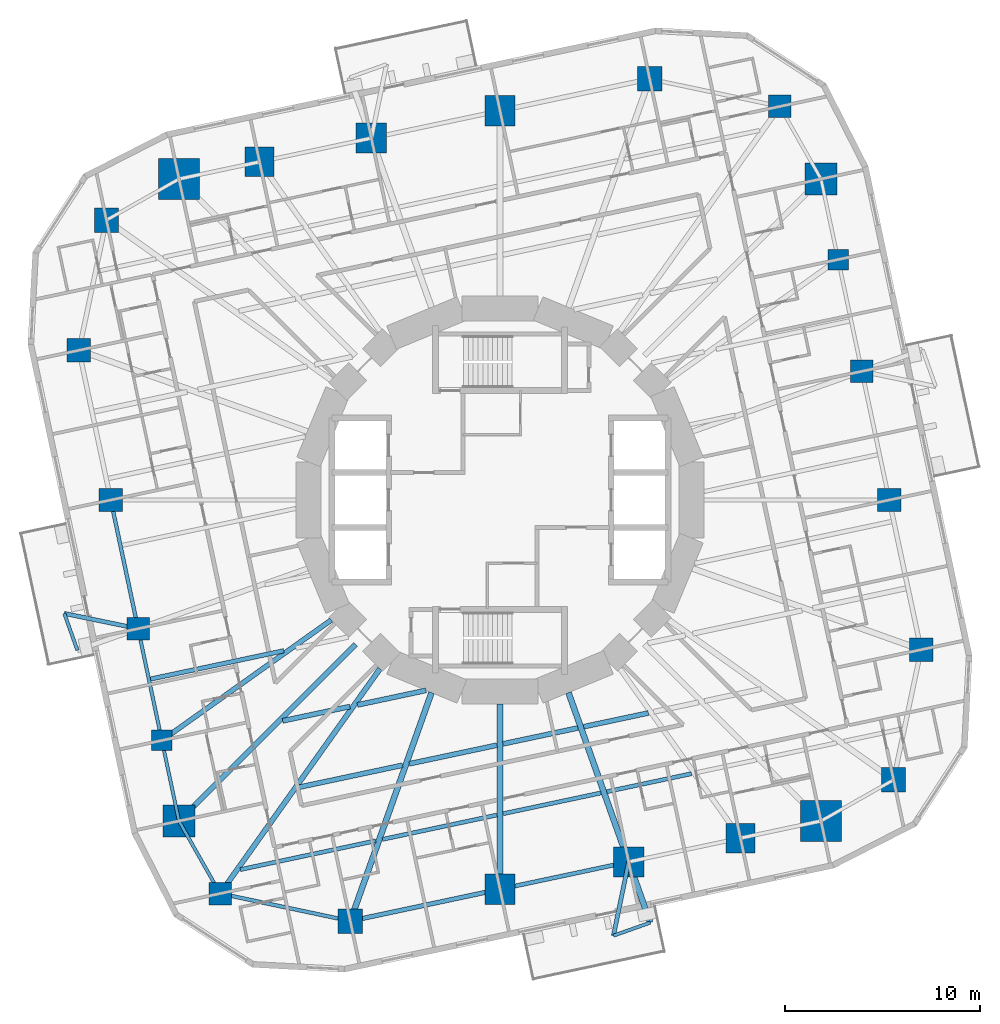
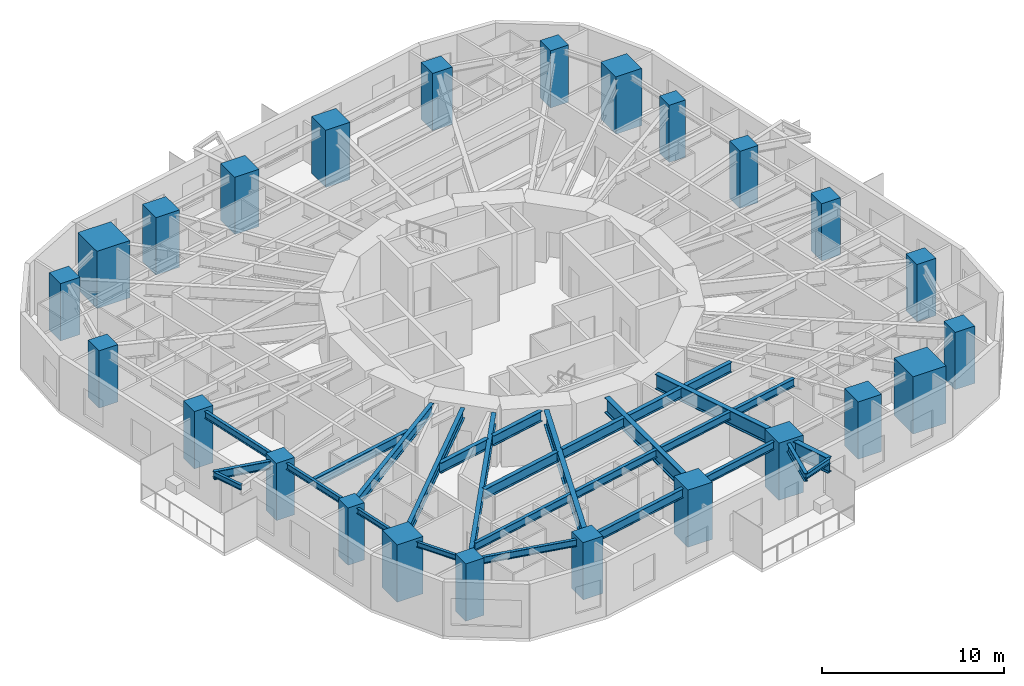
# One storey, part 1 of 14: 28 beams, 24 columns.
"""IFC4 building model written with IfcOpenShell, lengths in metres."""

from ifc_helpers import new_model, si_unit, direction, frame, origin, origin_2d, place, context, subcontext, project, spatial, rectangle, i_section, extrude, material, material_profile, profile_set, type_object, element, save


model = new_model("IFC4")

# Units and contexts
model_context = context("Model", 3, precision=1e-05, world=origin(), true_north=direction((0.0, 1.0)))
body_context = subcontext(model_context, "Body", "Model", "MODEL_VIEW")
ifc_project = project(units=[si_unit("LENGTHUNIT", "METRE"), si_unit("AREAUNIT", "SQUARE_METRE"), si_unit("VOLUMEUNIT", "CUBIC_METRE"), si_unit("PLANEANGLEUNIT", "RADIAN"), si_unit("MASSUNIT", "GRAM", prefix="KILO")], contexts=[model_context])

# Site, building, storey
site_placement = place(None, origin())
site = spatial("IfcSite", under=ifc_project, at=site_placement, CompositionType="ELEMENT")
building_placement = place(site_placement, origin())
building = spatial("IfcBuilding", under=site, at=building_placement, Name="Nakasero Lantern House", CompositionType="ELEMENT")
storey_placement = place(building_placement, frame((0.0, 0.0, 124.25)))
storey = spatial("IfcBuildingStorey", under=building, at=storey_placement, Name="L30", CompositionType="ELEMENT", Elevation=124.25)

# Columns
ifc_material_1 = material(Name="Concrete C50/60", Category="concrete")
ifc_material_profile_1 = material_profile(ifc_material_1, rectangle(XDim=1.64990234375, YDim=1.64990234375, at=origin_2d()), Name="RC 1650x1650")
ifc_profile_set_1 = profile_set([ifc_material_profile_1], Name="Concrete C50/60")
column_type_1 = type_object("IfcColumnType", Name="Mega column RC 1650x1650 C50/60", PredefinedType="COLUMN", material=ifc_profile_set_1)
for number, where, z_axis, x_axis, name in (
    (1, (16.44091796875, 16.44091796875, 0.0), (0.0, 0.0, 1.0), (1.0, 0.0, 0.0), "Column B3-C06 L30"),
    (2, (-16.44091796875, -16.44091796875, 0.0), (0.0, 0.0, 1.0), (1.0, 0.0, 0.0), "Column B3-C18 L30"),
):
    element("IfcColumn", number, at=place(storey_placement, frame(where, z_axis=z_axis, x_axis=x_axis)), inside=storey, type_object=column_type_1, Name=name, PredefinedType="COLUMN", context=body_context, shape_type="SweptSolid", body=[
        extrude(rectangle(XDim=1.64990234375, YDim=1.64990234375, at=origin_2d()), origin(), (0.0, 0.0, 1.0), 3.85009765625),
    ])
ifc_material_2 = material(Name="Concrete C50/60", Category="concrete")
ifc_material_profile_2 = material_profile(ifc_material_2, rectangle(XDim=2.10009765625, YDim=2.10009765625, at=origin_2d()), Name="RC 2100x2100")
ifc_profile_set_2 = profile_set([ifc_material_profile_2], Name="Concrete C50/60")
column_type_2 = type_object("IfcColumnType", Name="Mega column RC 2100x2100 C50/60", PredefinedType="COLUMN", material=ifc_profile_set_2)
for number, where, z_axis, x_axis, name in (
    (3, (-16.44091796875, 16.44091796875, 0.0), (0.0, 0.0, 1.0), (1.0, 0.0, 0.0), "Column B3-C12 L30"),
    (4, (16.44091796875, -16.44091796875, 0.0), (0.0, 0.0, 1.0), (1.0, 0.0, 0.0), "Column B3-C24 L30"),
):
    element("IfcColumn", number, at=place(storey_placement, frame(where, z_axis=z_axis, x_axis=x_axis)), inside=storey, type_object=column_type_2, Name=name, PredefinedType="COLUMN", context=body_context, shape_type="SweptSolid", body=[
        extrude(rectangle(XDim=2.10009765625, YDim=2.10009765625, at=origin_2d()), origin(), (0.0, 0.0, 1.0), 3.85009765625),
    ])
ifc_material_3 = material(Name="Concrete C50/60", Category="concrete")
ifc_material_profile_3 = material_profile(ifc_material_3, rectangle(XDim=1.050048828125, YDim=1.050048828125, at=origin_2d()), Name="RC 1050x1050")
ifc_profile_set_3 = profile_set([ifc_material_profile_3], Name="Concrete C50/60")
column_type_3 = type_object("IfcColumnType", Name="Ring column RC 1050x1050 C50/60", PredefinedType="COLUMN", material=ifc_profile_set_3)
for number, where, z_axis, x_axis, name in (
    (5, (17.318115234375, 12.31494140625, 0.0), (0.0, 0.0, 1.0), (1.0, 0.0, 0.0), "Column B3-C05 L30"),
    (6, (-17.318115234375, -12.31494140625, 0.0), (0.0, 0.0, 1.0), (1.0, 0.0, 0.0), "Column B3-C17 L30"),
):
    element("IfcColumn", number, at=place(storey_placement, frame(where, z_axis=z_axis, x_axis=x_axis)), inside=storey, type_object=column_type_3, Name=name, PredefinedType="COLUMN", context=body_context, shape_type="SweptSolid", body=[
        extrude(rectangle(XDim=1.050048828125, YDim=1.050048828125, at=origin_2d()), origin(), (0.0, 0.0, 1.0), 3.85009765625),
    ])
ifc_material_4 = material(Name="Concrete C50/60", Category="concrete")
ifc_material_profile_4 = material_profile(ifc_material_4, rectangle(XDim=1.14990234375, YDim=1.14990234375, at=origin_2d()), Name="RC 1150x1150")
ifc_profile_set_4 = profile_set([ifc_material_profile_4], Name="Concrete C50/60")
column_type_4 = type_object("IfcColumnType", Name="Ring column RC 1150x1150 C50/60", PredefinedType="COLUMN", material=ifc_profile_set_4)
for number, where, z_axis, x_axis, name in (
    (7, (18.534912109375, 6.590087890625, 0.0), (0.0, 0.0, 1.0), (1.0, 0.0, 0.0), "Column B3-C04 L30"),
    (8, (14.33349609375, 20.15625, 0.0), (0.0, 0.0, 1.0), (1.0, 0.0, 0.0), "Column B3-C07 L30"),
    (9, (-18.534912109375, -6.590087890625, 0.0), (0.0, 0.0, 1.0), (1.0, 0.0, 0.0), "Column B3-C16 L30"),
    (10, (-14.33349609375, -20.15625, 0.0), (0.0, 0.0, 1.0), (1.0, 0.0, 0.0), "Column B3-C19 L30"),
):
    element("IfcColumn", number, at=place(storey_placement, frame(where, z_axis=z_axis, x_axis=x_axis)), inside=storey, type_object=column_type_4, Name=name, PredefinedType="COLUMN", context=body_context, shape_type="SweptSolid", body=[
        extrude(rectangle(XDim=1.14990234375, YDim=1.14990234375, at=origin_2d()), origin(), (0.0, 0.0, 1.0), 3.85009765625),
    ])
ifc_material_5 = material(Name="Concrete C50/60", Category="concrete")
ifc_material_profile_5 = material_profile(ifc_material_5, rectangle(XDim=1.199951171875, YDim=1.199951171875, at=origin_2d()), Name="RC 1200x1200")
ifc_profile_set_5 = profile_set([ifc_material_profile_5], Name="Concrete C50/60")
column_type_5 = type_object("IfcColumnType", Name="Ring column RC 1200x1200 C50/60", PredefinedType="COLUMN", material=ifc_profile_set_5)
for number, where, z_axis, x_axis, name in (
    (11, (21.5654296875, -7.667724609375, 0.0), (0.0, 0.0, 1.0), (1.0, 0.0, 0.0), "Column B3-C02 L30"),
    (12, (19.935546875, 0.0, 0.0), (0.0, 0.0, 1.0), (1.0, 0.0, 0.0), "Column B3-C03 L30"),
    (13, (-21.5654296875, 7.667724609375, 0.0), (0.0, 0.0, 1.0), (1.0, 0.0, 0.0), "Column B3-C14 L30"),
    (14, (-19.935546875, 0.0, 0.0), (0.0, 0.0, 1.0), (1.0, 0.0, 0.0), "Column B3-C15 L30"),
):
    element("IfcColumn", number, at=place(storey_placement, frame(where, z_axis=z_axis, x_axis=x_axis)), inside=storey, type_object=column_type_5, Name=name, PredefinedType="COLUMN", context=body_context, shape_type="SweptSolid", body=[
        extrude(rectangle(XDim=1.199951171875, YDim=1.199951171875, at=origin_2d()), origin(), (0.0, 0.0, 1.0), 3.85009765625),
    ])
ifc_material_6 = material(Name="Concrete C50/60", Category="concrete")
ifc_material_profile_6 = material_profile(ifc_material_6, rectangle(XDim=1.25, YDim=1.25, at=origin_2d()), Name="RC 1250x1250")
ifc_profile_set_6 = profile_set([ifc_material_profile_6], Name="Concrete C50/60")
column_type_6 = type_object("IfcColumnType", Name="Ring column RC 1250x1250 C50/60", PredefinedType="COLUMN", material=ifc_profile_set_6)
for number, where, z_axis, x_axis, name in (
    (15, (20.15625, -14.33349609375, 0.0), (0.0, 0.0, 1.0), (1.0, 0.0, 0.0), "Column B3-C01 L30"),
    (16, (7.667724609375, 21.5654296875, 0.0), (0.0, 0.0, 1.0), (1.0, 0.0, 0.0), "Column B3-C08 L30"),
    (17, (-20.15625, 14.33349609375, 0.0), (0.0, 0.0, 1.0), (1.0, 0.0, 0.0), "Column B3-C13 L30"),
    (18, (-7.667724609375, -21.5654296875, 0.0), (0.0, 0.0, 1.0), (1.0, 0.0, 0.0), "Column B3-C20 L30"),
):
    element("IfcColumn", number, at=place(storey_placement, frame(where, z_axis=z_axis, x_axis=x_axis)), inside=storey, type_object=column_type_6, Name=name, PredefinedType="COLUMN", context=body_context, shape_type="SweptSolid", body=[
        extrude(rectangle(XDim=1.25, YDim=1.25, at=origin_2d()), origin(), (0.0, 0.0, 1.0), 3.85009765625),
    ])
ifc_material_7 = material(Name="Concrete C50/60", Category="concrete")
ifc_material_profile_7 = material_profile(ifc_material_7, rectangle(XDim=1.5, YDim=1.5, at=origin_2d()), Name="RC 1500x1500")
ifc_profile_set_7 = profile_set([ifc_material_profile_7], Name="Concrete C50/60")
column_type_7 = type_object("IfcColumnType", Name="Ring column RC 1500x1500 C50/60", PredefinedType="COLUMN", material=ifc_profile_set_7)
for number, where, z_axis, x_axis, name in (
    (19, (-12.31494140625, 17.318115234375, 0.0), (0.0, 0.0, 1.0), (1.0, 0.0, 0.0), "Column B3-C11 L30"),
    (20, (12.31494140625, -17.318115234375, 0.0), (0.0, 0.0, 1.0), (1.0, 0.0, 0.0), "Column B3-C23 L30"),
):
    element("IfcColumn", number, at=place(storey_placement, frame(where, z_axis=z_axis, x_axis=x_axis)), inside=storey, type_object=column_type_7, Name=name, PredefinedType="COLUMN", context=body_context, shape_type="SweptSolid", body=[
        extrude(rectangle(XDim=1.5, YDim=1.5, at=origin_2d()), origin(), (0.0, 0.0, 1.0), 3.85009765625),
    ])
ifc_material_8 = material(Name="Concrete C50/60", Category="concrete")
ifc_material_profile_8 = material_profile(ifc_material_8, rectangle(XDim=1.550048828125, YDim=1.550048828125, at=origin_2d()), Name="RC 1550x1550")
ifc_profile_set_8 = profile_set([ifc_material_profile_8], Name="Concrete C50/60")
column_type_8 = type_object("IfcColumnType", Name="Ring column RC 1550x1550 C50/60", PredefinedType="COLUMN", material=ifc_profile_set_8)
for number, where, z_axis, x_axis, name in (
    (21, (0.0, 19.935546875, 0.0), (0.0, 0.0, 1.0), (1.0, 0.0, 0.0), "Column B3-C09 L30"),
    (22, (-6.590087890625, 18.534912109375, 0.0), (0.0, 0.0, 1.0), (1.0, 0.0, 0.0), "Column B3-C10 L30"),
    (23, (0.0, -19.935546875, 0.0), (0.0, 0.0, 1.0), (1.0, 0.0, 0.0), "Column B3-C21 L30"),
    (24, (6.590087890625, -18.534912109375, 0.0), (0.0, 0.0, 1.0), (1.0, 0.0, 0.0), "Column B3-C22 L30"),
):
    element("IfcColumn", number, at=place(storey_placement, frame(where, z_axis=z_axis, x_axis=x_axis)), inside=storey, type_object=column_type_8, Name=name, PredefinedType="COLUMN", context=body_context, shape_type="SweptSolid", body=[
        extrude(rectangle(XDim=1.550048828125, YDim=1.550048828125, at=origin_2d()), origin(), (0.0, 0.0, 1.0), 3.85009765625),
    ])

# Beams
ifc_material_9 = material(Name="Steel S355", Category="steel")
ifc_material_profile_9 = material_profile(ifc_material_9, i_section(OverallWidth=0.2138671875, OverallDepth=0.549072265625, WebThickness=0.0146484375, FlangeThickness=0.023681640625, FilletRadius=0.0126953125, at=origin_2d()), Name="UB 533x210x138")
ifc_profile_set_9 = profile_set([ifc_material_profile_9], Name="Steel S355")
beam_type_1 = type_object("IfcBeamType", Name="Balcony splay beam UB 533x210x138", PredefinedType="BEAM", material=ifc_profile_set_9)
for number, where, z_axis, x_axis, name in (
    (25, (-18.534912109375, -6.590087890625, 3.37548828125), (-0.979420272605, 0.201831438605, 0.0), (-0.201831438605, -0.979420272605, 0.0), "Balcony splay beam L31 B3-C16A"),
    (26, (6.590087890625, -18.534912109375, 3.37548828125), (-0.201831438605, -0.979420272605, 0.0), (0.979420272605, -0.201831438605, 0.0), "Balcony splay beam L31 B3-C22A"),
):
    element("IfcBeam", number, at=place(storey_placement, frame(where, z_axis=z_axis, x_axis=x_axis)), inside=storey, type_object=beam_type_1, Name=name, PredefinedType="BEAM", context=body_context, shape_type="SweptSolid", body=[
        extrude(i_section(OverallWidth=0.2138671875, OverallDepth=0.549072265625, WebThickness=0.0146484375, FlangeThickness=0.023681640625, FilletRadius=0.0126953125, at=origin_2d()), origin(), (0.0, 0.0, 1.0), 3.858642578125),
    ])
ifc_material_10 = material(Name="Steel S355", Category="steel")
ifc_material_profile_10 = material_profile(ifc_material_10, i_section(OverallWidth=0.17138671875, OverallDepth=0.35498046875, WebThickness=0.00732421875, FlangeThickness=0.011474609375, FilletRadius=0.01025390625, at=origin_2d()), Name="UB 356x171x51")
ifc_profile_set_10 = profile_set([ifc_material_profile_10], Name="Steel S355")
beam_type_2 = type_object("IfcBeamType", Name="Balcony tie beam UB 356x171x51", PredefinedType="BEAM", material=ifc_profile_set_10)
for number, where, z_axis, x_axis, name in (
    (27, (-22.314208984375, -5.811279296875, 3.472412109375), (0.335060236487, -0.942196708721, 0.0), (0.942196708721, 0.335060236487, 0.0), "Balcony tie beam L31 B3-C16"),
    (28, (5.811279296875, -22.314208984375, 3.472412109375), (0.942196708721, 0.335060236487, 0.0), (-0.335060236487, 0.942196708721, 0.0), "Balcony tie beam L31 B3-C22"),
):
    element("IfcBeam", number, at=place(storey_placement, frame(where, z_axis=z_axis, x_axis=x_axis)), inside=storey, type_object=beam_type_2, Name=name, PredefinedType="BEAM", context=body_context, shape_type="SweptSolid", body=[
        extrude(i_section(OverallWidth=0.17138671875, OverallDepth=0.35498046875, WebThickness=0.00732421875, FlangeThickness=0.011474609375, FilletRadius=0.01025390625, at=origin_2d()), origin(), (0.0, 0.0, 1.0), 2.000244140625),
    ])
ifc_material_11 = material(Name="Steel S355", Category="steel")
ifc_material_profile_11 = material_profile(ifc_material_11, i_section(OverallWidth=0.2099609375, OverallDepth=0.53662109375, WebThickness=0.0107421875, FlangeThickness=0.017333984375, FilletRadius=0.0126953125, at=origin_2d()), Name="UB 533x210x101")
ifc_profile_set_11 = profile_set([ifc_material_profile_11], Name="Steel S355")
beam_type_3 = type_object("IfcBeamType", Name="Infill beam UB 533x210x101", PredefinedType="JOIST", material=ifc_profile_set_11)
beam_1_placement = place(storey_placement, frame((-13.29638671875, -18.927978515625, 3.381591796875), z_axis=(0.978149480204, 0.207902848411, 0.0), x_axis=(-0.207902848411, 0.978149480204, 0.0)))
element("IfcBeam", 29, at=beam_1_placement, inside=storey, type_object=beam_type_3, Name="Infill beam L31 03.1", PredefinedType="JOIST", context=body_context, shape_type="SweptSolid", body=[
    extrude(i_section(OverallWidth=0.2099609375, OverallDepth=0.53662109375, WebThickness=0.0107421875, FlangeThickness=0.017333984375, FilletRadius=0.0126953125, at=origin_2d()), origin(), (0.0, 0.0, 1.0), 7.085693359375),
])
beam_2_placement = place(storey_placement, frame((-6.02099609375, -17.381591796875, 3.381591796875), z_axis=(0.978149438519, 0.207903044531, 0.0), x_axis=(-0.207903044531, 0.978149438519, 0.0)))
element("IfcBeam", 30, at=beam_2_placement, inside=storey, type_object=beam_type_3, Name="Infill beam L31 03.2", PredefinedType="JOIST", context=body_context, shape_type="SweptSolid", body=[
    extrude(i_section(OverallWidth=0.2099609375, OverallDepth=0.53662109375, WebThickness=0.0107421875, FlangeThickness=0.017333984375, FilletRadius=0.0126953125, at=origin_2d()), origin(), (0.0, 0.0, 1.0), 5.99951171875),
])
beam_3_placement = place(storey_placement, frame((0.152587890625, -16.0693359375, 3.381591796875), z_axis=(0.978153894908, 0.207882076853, 0.0), x_axis=(-0.207882076853, 0.978153894908, 0.0)))
element("IfcBeam", 31, at=beam_3_placement, inside=storey, type_object=beam_type_3, Name="Infill beam L31 03.3", PredefinedType="JOIST", context=body_context, shape_type="SweptSolid", body=[
    extrude(i_section(OverallWidth=0.2099609375, OverallDepth=0.53662109375, WebThickness=0.0107421875, FlangeThickness=0.017333984375, FilletRadius=0.0126953125, at=origin_2d()), origin(), (0.0, 0.0, 1.0), 5.13330078125),
])
beam_4_placement = place(storey_placement, frame((5.471923828125, -14.938720703125, 3.381591796875), z_axis=(0.978149057111, 0.207904838982, 0.0), x_axis=(-0.207904838982, 0.978149057111, 0.0)))
element("IfcBeam", 32, at=beam_4_placement, inside=storey, type_object=beam_type_3, Name="Infill beam L31 03.4", PredefinedType="JOIST", context=body_context, shape_type="SweptSolid", body=[
    extrude(i_section(OverallWidth=0.2099609375, OverallDepth=0.53662109375, WebThickness=0.0107421875, FlangeThickness=0.017333984375, FilletRadius=0.0126953125, at=origin_2d()), origin(), (0.0, 0.0, 1.0), 4.435302734375),
])
ifc_material_12 = material(Name="Steel S355", Category="steel")
ifc_material_profile_12 = material_profile(ifc_material_12, i_section(OverallWidth=0.2275390625, OverallDepth=0.6025390625, WebThickness=0.010498046875, FlangeThickness=0.014892578125, FilletRadius=0.0126953125, at=origin_2d()), Name="UB 610x229x101")
ifc_profile_set_12 = profile_set([ifc_material_profile_12], Name="Steel S355")
beam_type_4 = type_object("IfcBeamType", Name="Infill beam UB 610x229x101", PredefinedType="JOIST", material=ifc_profile_set_12)
beam_5_placement = place(storey_placement, frame((-17.895263671875, -9.171142578125, 3.3486328125), z_axis=(0.978143535939, 0.207930813255, 0.0), x_axis=(-0.207930813255, 0.978143535939, 0.0)))
element("IfcBeam", 33, at=beam_5_placement, inside=storey, type_object=beam_type_4, Name="Infill beam L31 06.1", PredefinedType="JOIST", context=body_context, shape_type="SweptSolid", body=[
    extrude(i_section(OverallWidth=0.2275390625, OverallDepth=0.6025390625, WebThickness=0.010498046875, FlangeThickness=0.014892578125, FilletRadius=0.0126953125, at=origin_2d()), origin(), (0.0, 0.0, 1.0), 6.9697265625),
])
ifc_material_13 = material(Name="Steel S355", Category="steel")
ifc_material_profile_13 = material_profile(ifc_material_13, i_section(OverallWidth=0.253662109375, OverallDepth=0.68359375, WebThickness=0.012451171875, FlangeThickness=0.01904296875, FilletRadius=0.01513671875, at=origin_2d()), Name="UB 686x254x140")
ifc_profile_set_13 = profile_set([ifc_material_profile_13], Name="Steel S355")
beam_type_5 = type_object("IfcBeamType", Name="Infill beam UB 686x254x140", PredefinedType="JOIST", material=ifc_profile_set_13)
beam_6_placement = place(storey_placement, frame((-10.298828125, -14.712646484375, 3.308349609375), z_axis=(0.978155764637, 0.207873278962, 0.0), x_axis=(-0.207873278962, 0.978155764637, 0.0)))
element("IfcBeam", 34, at=beam_6_placement, inside=storey, type_object=beam_type_5, Name="Infill beam L31 04.1", PredefinedType="JOIST", context=body_context, shape_type="SweptSolid", body=[
    extrude(i_section(OverallWidth=0.253662109375, OverallDepth=0.68359375, WebThickness=0.012451171875, FlangeThickness=0.01904296875, FilletRadius=0.01513671875, at=origin_2d()), origin(), (0.0, 0.0, 1.0), 5.428466796875),
])
beam_7_placement = place(storey_placement, frame((-4.644775390625, -13.510986328125, 3.308349609375), z_axis=(0.978148041119, 0.207909618957, 0.0), x_axis=(-0.207909618957, 0.978148041119, 0.0)))
element("IfcBeam", 35, at=beam_7_placement, inside=storey, type_object=beam_type_5, Name="Infill beam L31 04.2", PredefinedType="JOIST", context=body_context, shape_type="SweptSolid", body=[
    extrude(i_section(OverallWidth=0.253662109375, OverallDepth=0.68359375, WebThickness=0.012451171875, FlangeThickness=0.01904296875, FilletRadius=0.01513671875, at=origin_2d()), origin(), (0.0, 0.0, 1.0), 4.592529296875),
])
beam_8_placement = place(storey_placement, frame((0.152587890625, -12.4912109375, 3.308349609375), z_axis=(0.978145250615, 0.20792274695, 0.0), x_axis=(-0.20792274695, 0.978145250615, 0.0)))
element("IfcBeam", 36, at=beam_8_placement, inside=storey, type_object=beam_type_5, Name="Infill beam L31 04.3", PredefinedType="JOIST", context=body_context, shape_type="SweptSolid", body=[
    extrude(i_section(OverallWidth=0.253662109375, OverallDepth=0.68359375, WebThickness=0.012451171875, FlangeThickness=0.01904296875, FilletRadius=0.01513671875, at=origin_2d()), origin(), (0.0, 0.0, 1.0), 3.924072265625),
])
beam_9_placement = place(storey_placement, frame((4.2890625, -11.612060546875, 3.308349609375), z_axis=(0.978143084163, 0.207932938478, 0.0), x_axis=(-0.207932938478, 0.978143084163, 0.0)))
element("IfcBeam", 37, at=beam_9_placement, inside=storey, type_object=beam_type_5, Name="Infill beam L31 04.4", PredefinedType="JOIST", context=body_context, shape_type="SweptSolid", body=[
    extrude(i_section(OverallWidth=0.253662109375, OverallDepth=0.68359375, WebThickness=0.012451171875, FlangeThickness=0.01904296875, FilletRadius=0.01513671875, at=origin_2d()), origin(), (0.0, 0.0, 1.0), 3.385009765625),
])
ifc_material_14 = material(Name="Steel S355", Category="steel")
ifc_material_profile_14 = material_profile(ifc_material_14, i_section(OverallWidth=0.255859375, OverallDepth=0.69287109375, WebThickness=0.014404296875, FlangeThickness=0.023681640625, FilletRadius=0.01513671875, at=origin_2d()), Name="UB 686x254x170")
ifc_profile_set_14 = profile_set([ifc_material_profile_14], Name="Steel S355")
beam_type_6 = type_object("IfcBeamType", Name="Infill beam UB 686x254x170", PredefinedType="JOIST", material=ifc_profile_set_14)
beam_10_placement = place(storey_placement, frame((-11.13232421875, -11.311767578125, 3.303466796875), z_axis=(0.97814493323, 0.20792424004, 0.0), x_axis=(-0.20792424004, 0.97814493323, 0.0)))
element("IfcBeam", 38, at=beam_10_placement, inside=storey, type_object=beam_type_6, Name="Infill beam L31 05.1", PredefinedType="JOIST", context=body_context, shape_type="SweptSolid", body=[
    extrude(i_section(OverallWidth=0.255859375, OverallDepth=0.69287109375, WebThickness=0.014404296875, FlangeThickness=0.023681640625, FilletRadius=0.01513671875, at=origin_2d()), origin(), (0.0, 0.0, 1.0), 3.5224609375),
])
beam_11_placement = place(storey_placement, frame((-7.30126953125, -10.497314453125, 3.303466796875), z_axis=(0.978149176892, 0.207904275439, 0.0), x_axis=(-0.207904275439, 0.978149176892, 0.0)))
element("IfcBeam", 39, at=beam_11_placement, inside=storey, type_object=beam_type_6, Name="Infill beam L31 05.2", PredefinedType="JOIST", context=body_context, shape_type="SweptSolid", body=[
    extrude(i_section(OverallWidth=0.255859375, OverallDepth=0.69287109375, WebThickness=0.014404296875, FlangeThickness=0.023681640625, FilletRadius=0.01513671875, at=origin_2d()), origin(), (0.0, 0.0, 1.0), 3.59228515625),
])
ifc_material_15 = material(Name="Steel S355", Category="steel")
ifc_material_profile_15 = material_profile(ifc_material_15, i_section(OverallWidth=0.300048828125, OverallDepth=0.989990234375, WebThickness=0.0166015625, FlangeThickness=0.031005859375, FilletRadius=0.030029296875, at=origin_2d()), Name="UB 1016x305x272")
ifc_profile_set_15 = profile_set([ifc_material_profile_15], Name="Steel S355")
beam_type_7 = type_object("IfcBeamType", Name="Primary beam UB 1016x305x272, span 12 to 15 m", PredefinedType="BEAM", material=ifc_profile_set_15)
beam_12_placement = place(storey_placement, frame((-7.667724609375, -21.5654296875, 3.155029296875), z_axis=(0.335011995103, 0.942213862739, 0.0), x_axis=(-0.942213862739, 0.335011995103, 0.0)))
element("IfcBeam", 40, at=beam_12_placement, inside=storey, type_object=beam_type_7, Name="Primary beam L31 B3-C20", PredefinedType="BEAM", context=body_context, shape_type="SweptSolid", body=[
    extrude(i_section(OverallWidth=0.300048828125, OverallDepth=0.989990234375, WebThickness=0.0166015625, FlangeThickness=0.031005859375, FilletRadius=0.030029296875, at=origin_2d()), origin(), (0.0, 0.0, 1.0), 12.41650390625),
])
ifc_material_16 = material(Name="Steel S355", Category="steel")
ifc_material_profile_16 = material_profile(ifc_material_16, i_section(OverallWidth=0.302001953125, OverallDepth=1.008056640625, WebThickness=0.02099609375, FlangeThickness=0.0400390625, FilletRadius=0.030029296875, at=origin_2d()), Name="UB 1016x305x349")
ifc_profile_set_16 = profile_set([ifc_material_profile_16], Name="Steel S355")
beam_type_8 = type_object("IfcBeamType", Name="Primary beam UB 1016x305x349, span 9 to 12 m", PredefinedType="BEAM", material=ifc_profile_set_16)
beam_13_placement = place(storey_placement, frame((7.69580078125, -21.64404296875, 3.14599609375), z_axis=(-0.335020841845, 0.942210717159, 0.0), x_axis=(-0.942210717159, -0.335020841845, 0.0)))
element("IfcBeam", 41, at=beam_13_placement, inside=storey, type_object=beam_type_8, Name="Primary beam L31 B3-C22", PredefinedType="BEAM", context=body_context, shape_type="SweptSolid", body=[
    extrude(i_section(OverallWidth=0.302001953125, OverallDepth=1.008056640625, WebThickness=0.02099609375, FlangeThickness=0.0400390625, FilletRadius=0.030029296875, at=origin_2d()), origin(), (0.0, 0.0, 1.0), 12.5),
])
ifc_material_17 = material(Name="Steel S355", Category="steel")
ifc_material_profile_17 = material_profile(ifc_material_17, i_section(OverallWidth=0.305419921875, OverallDepth=1.026123046875, WebThickness=0.02685546875, FlangeThickness=0.049072265625, FilletRadius=0.030029296875, at=origin_2d()), Name="UB 1016x305x437")
ifc_profile_set_17 = profile_set([ifc_material_profile_17], Name="Steel S355")
beam_type_9 = type_object("IfcBeamType", Name="Primary beam UB 1016x305x437, span 9 to 12 m", PredefinedType="BEAM", material=ifc_profile_set_17)
beam_14_placement = place(storey_placement, frame((0.0, -19.935546875, 3.136962890625), z_axis=(0.0, 1.0, 0.0), x_axis=(-1.0, 0.0, 0.0)))
element("IfcBeam", 42, at=beam_14_placement, inside=storey, type_object=beam_type_9, Name="Primary beam L31 B3-C21", PredefinedType="BEAM", context=body_context, shape_type="SweptSolid", body=[
    extrude(i_section(OverallWidth=0.305419921875, OverallDepth=1.026123046875, WebThickness=0.02685546875, FlangeThickness=0.049072265625, FilletRadius=0.030029296875, at=origin_2d()), origin(), (0.0, 0.0, 1.0), 9.477783203125),
])
ifc_material_18 = material(Name="Steel S355", Category="steel")
ifc_material_profile_18 = material_profile(ifc_material_18, i_section(OverallWidth=0.253662109375, OverallDepth=0.68359375, WebThickness=0.012451171875, FlangeThickness=0.01904296875, FilletRadius=0.01513671875, at=origin_2d()), Name="UB 686x254x140")
ifc_profile_set_18 = profile_set([ifc_material_profile_18], Name="Steel S355")
beam_type_10 = type_object("IfcBeamType", Name="Primary beam UB 686x254x140, span 12 to 15 m", PredefinedType="BEAM", material=ifc_profile_set_18)
beam_15_placement = place(storey_placement, frame((-16.44091796875, -16.44091796875, 3.308349609375), z_axis=(0.707106781187, 0.707106781187, 0.0), x_axis=(-0.707106781187, 0.707106781187, 0.0)))
element("IfcBeam", 43, at=beam_15_placement, inside=storey, type_object=beam_type_10, Name="Primary beam L31 B3-C18", PredefinedType="BEAM", context=body_context, shape_type="SweptSolid", body=[
    extrude(i_section(OverallWidth=0.253662109375, OverallDepth=0.68359375, WebThickness=0.012451171875, FlangeThickness=0.01904296875, FilletRadius=0.01513671875, at=origin_2d()), origin(), (0.0, 0.0, 1.0), 12.793212890625),
])
ifc_material_19 = material(Name="Steel S355", Category="steel")
ifc_material_profile_19 = material_profile(ifc_material_19, i_section(OverallWidth=0.253662109375, OverallDepth=0.68359375, WebThickness=0.012451171875, FlangeThickness=0.01904296875, FilletRadius=0.01513671875, at=origin_2d()), Name="UB 686x254x140")
ifc_profile_set_19 = profile_set([ifc_material_profile_19], Name="Steel S355")
beam_type_11 = type_object("IfcBeamType", Name="Primary beam UB 686x254x140, span 9 to 12 m", PredefinedType="BEAM", material=ifc_profile_set_19)
beam_16_placement = place(storey_placement, frame((-17.318115234375, -12.31494140625, 3.308349609375), z_axis=(0.814957491022, 0.579520739774, 0.0), x_axis=(-0.579520739774, 0.814957491022, 0.0)))
element("IfcBeam", 44, at=beam_16_placement, inside=storey, type_object=beam_type_11, Name="Primary beam L31 B3-C17", PredefinedType="BEAM", context=body_context, shape_type="SweptSolid", body=[
    extrude(i_section(OverallWidth=0.253662109375, OverallDepth=0.68359375, WebThickness=0.012451171875, FlangeThickness=0.01904296875, FilletRadius=0.01513671875, at=origin_2d()), origin(), (0.0, 0.0, 1.0), 10.64453125),
])
ifc_material_20 = material(Name="Steel S355", Category="steel")
ifc_material_profile_20 = material_profile(ifc_material_20, i_section(OverallWidth=0.2666015625, OverallDepth=0.76220703125, WebThickness=0.014404296875, FlangeThickness=0.021484375, FilletRadius=0.0166015625, at=origin_2d()), Name="UB 762x267x173")
ifc_profile_set_20 = profile_set([ifc_material_profile_20], Name="Steel S355")
beam_type_12 = type_object("IfcBeamType", Name="Primary beam UB 762x267x173, span 12 to 15 m", PredefinedType="BEAM", material=ifc_profile_set_20)
beam_17_placement = place(storey_placement, frame((-14.33349609375, -20.15625, 3.268798828125), z_axis=(0.57953679421, 0.814946074386, 0.0), x_axis=(-0.814946074386, 0.57953679421, 0.0)))
element("IfcBeam", 45, at=beam_17_placement, inside=storey, type_object=beam_type_12, Name="Primary beam L31 B3-C19", PredefinedType="BEAM", context=body_context, shape_type="SweptSolid", body=[
    extrude(i_section(OverallWidth=0.2666015625, OverallDepth=0.76220703125, WebThickness=0.014404296875, FlangeThickness=0.021484375, FilletRadius=0.0166015625, at=origin_2d()), origin(), (0.0, 0.0, 1.0), 14.127197265625),
])
ifc_material_21 = material(Name="Steel S355", Category="steel")
ifc_material_profile_21 = material_profile(ifc_material_21, i_section(OverallWidth=0.17138671875, OverallDepth=0.35498046875, WebThickness=0.00732421875, FlangeThickness=0.011474609375, FilletRadius=0.01025390625, at=origin_2d()), Name="UB 356x171x51")
ifc_profile_set_21 = profile_set([ifc_material_profile_21], Name="Steel S355")
beam_type_13 = type_object("IfcBeamType", Name="Ring beam UB 356x171x51", PredefinedType="BEAM", material=ifc_profile_set_21)
beam_18_placement = place(storey_placement, frame((-17.318115234375, -12.31494140625, 3.472412109375), z_axis=(0.207955665195, -0.978138252658, 0.0), x_axis=(0.978138252658, 0.207955665195, 0.0)))
element("IfcBeam", 46, at=beam_18_placement, inside=storey, type_object=beam_type_13, Name="Ring beam L31 B3-C17", PredefinedType="BEAM", context=body_context, shape_type="SweptSolid", body=[
    extrude(i_section(OverallWidth=0.17138671875, OverallDepth=0.35498046875, WebThickness=0.00732421875, FlangeThickness=0.011474609375, FilletRadius=0.01025390625, at=origin_2d()), origin(), (0.0, 0.0, 1.0), 4.21826171875),
])
beam_19_placement = place(storey_placement, frame((-16.44091796875, -16.44091796875, 3.472412109375), z_axis=(0.493378832737, -0.869814536213, 0.0), x_axis=(0.869814536213, 0.493378832737, 0.0)))
element("IfcBeam", 47, at=beam_19_placement, inside=storey, type_object=beam_type_13, Name="Ring beam L31 B3-C18", PredefinedType="BEAM", context=body_context, shape_type="SweptSolid", body=[
    extrude(i_section(OverallWidth=0.17138671875, OverallDepth=0.35498046875, WebThickness=0.00732421875, FlangeThickness=0.011474609375, FilletRadius=0.01025390625, at=origin_2d()), origin(), (0.0, 0.0, 1.0), 4.271484375),
])
ifc_material_22 = material(Name="Steel S355", Category="steel")
ifc_material_profile_22 = material_profile(ifc_material_22, i_section(OverallWidth=0.177978515625, OverallDepth=0.406494140625, WebThickness=0.0078125, FlangeThickness=0.0126953125, FilletRadius=0.01025390625, at=origin_2d()), Name="UB 406x178x60")
ifc_profile_set_22 = profile_set([ifc_material_profile_22], Name="Steel S355")
beam_type_14 = type_object("IfcBeamType", Name="Ring beam UB 406x178x60", PredefinedType="BEAM", material=ifc_profile_set_22)
beam_20_placement = place(storey_placement, frame((-18.534912109375, -6.590087890625, 3.44677734375), z_axis=(0.207902159541, -0.978149626621, 0.0), x_axis=(0.978149626621, 0.207902159541, 0.0)))
element("IfcBeam", 48, at=beam_20_placement, inside=storey, type_object=beam_type_14, Name="Ring beam L31 B3-C16", PredefinedType="BEAM", context=body_context, shape_type="SweptSolid", body=[
    extrude(i_section(OverallWidth=0.177978515625, OverallDepth=0.406494140625, WebThickness=0.0078125, FlangeThickness=0.0126953125, FilletRadius=0.01025390625, at=origin_2d()), origin(), (0.0, 0.0, 1.0), 5.852783203125),
])
ifc_material_23 = material(Name="Steel S355", Category="steel")
ifc_material_profile_23 = material_profile(ifc_material_23, i_section(OverallWidth=0.19140625, OverallDepth=0.4599609375, WebThickness=0.010009765625, FlangeThickness=0.01611328125, FilletRadius=0.01025390625, at=origin_2d()), Name="UB 457x191x82")
ifc_profile_set_23 = profile_set([ifc_material_profile_23], Name="Steel S355")
beam_type_15 = type_object("IfcBeamType", Name="Ring beam UB 457x191x82", PredefinedType="BEAM", material=ifc_profile_set_23)
beam_21_placement = place(storey_placement, frame((-19.935546875, 0.0, 3.419921875), z_axis=(0.20789299389, -0.978151574702, 0.0), x_axis=(0.978151574702, 0.20789299389, 0.0)))
element("IfcBeam", 49, at=beam_21_placement, inside=storey, type_object=beam_type_15, Name="Ring beam L31 B3-C15", PredefinedType="BEAM", context=body_context, shape_type="SweptSolid", body=[
    extrude(i_section(OverallWidth=0.19140625, OverallDepth=0.4599609375, WebThickness=0.010009765625, FlangeThickness=0.01611328125, FilletRadius=0.01025390625, at=origin_2d()), origin(), (0.0, 0.0, 1.0), 6.7373046875),
])
beam_22_placement = place(storey_placement, frame((-14.33349609375, -20.15625, 3.419921875), z_axis=(0.978376066473, -0.206833925052, 0.0), x_axis=(0.206833925052, 0.978376066473, 0.0)))
element("IfcBeam", 50, at=beam_22_placement, inside=storey, type_object=beam_type_15, Name="Ring beam L31 B3-C19", PredefinedType="BEAM", context=body_context, shape_type="SweptSolid", body=[
    extrude(i_section(OverallWidth=0.19140625, OverallDepth=0.4599609375, WebThickness=0.010009765625, FlangeThickness=0.01611328125, FilletRadius=0.01025390625, at=origin_2d()), origin(), (0.0, 0.0, 1.0), 6.81298828125),
])
ifc_material_24 = material(Name="Steel S355", Category="steel")
ifc_material_profile_24 = material_profile(ifc_material_24, i_section(OverallWidth=0.2099609375, OverallDepth=0.53662109375, WebThickness=0.0107421875, FlangeThickness=0.017333984375, FilletRadius=0.0126953125, at=origin_2d()), Name="UB 533x210x101")
ifc_profile_set_24 = profile_set([ifc_material_profile_24], Name="Steel S355")
beam_type_16 = type_object("IfcBeamType", Name="Ring beam UB 533x210x101", PredefinedType="BEAM", material=ifc_profile_set_24)
beam_23_placement = place(storey_placement, frame((0.0, -19.935546875, 3.381591796875), z_axis=(0.978151574702, 0.20789299389, 0.0), x_axis=(-0.20789299389, 0.978151574702, 0.0)))
element("IfcBeam", 51, at=beam_23_placement, inside=storey, type_object=beam_type_16, Name="Ring beam L31 B3-C21", PredefinedType="BEAM", context=body_context, shape_type="SweptSolid", body=[
    extrude(i_section(OverallWidth=0.2099609375, OverallDepth=0.53662109375, WebThickness=0.0107421875, FlangeThickness=0.017333984375, FilletRadius=0.0126953125, at=origin_2d()), origin(), (0.0, 0.0, 1.0), 6.7373046875),
])
ifc_material_25 = material(Name="Steel S355", Category="steel")
ifc_material_profile_25 = material_profile(ifc_material_25, i_section(OverallWidth=0.22900390625, OverallDepth=0.6123046875, WebThickness=0.011962890625, FlangeThickness=0.01953125, FilletRadius=0.0126953125, at=origin_2d()), Name="UB 610x229x125")
ifc_profile_set_25 = profile_set([ifc_material_profile_25], Name="Steel S355")
beam_type_17 = type_object("IfcBeamType", Name="Ring beam UB 610x229x125", PredefinedType="BEAM", material=ifc_profile_set_25)
beam_24_placement = place(storey_placement, frame((-7.667724609375, -21.5654296875, 3.343994140625), z_axis=(0.978146105516, 0.207918725139, 0.0), x_axis=(-0.207918725139, 0.978146105516, 0.0)))
element("IfcBeam", 52, at=beam_24_placement, inside=storey, type_object=beam_type_17, Name="Ring beam L31 B3-C20", PredefinedType="BEAM", context=body_context, shape_type="SweptSolid", body=[
    extrude(i_section(OverallWidth=0.22900390625, OverallDepth=0.6123046875, WebThickness=0.011962890625, FlangeThickness=0.01953125, FilletRadius=0.0126953125, at=origin_2d()), origin(), (0.0, 0.0, 1.0), 7.839111328125),
])

save(model, "model.ifc")
